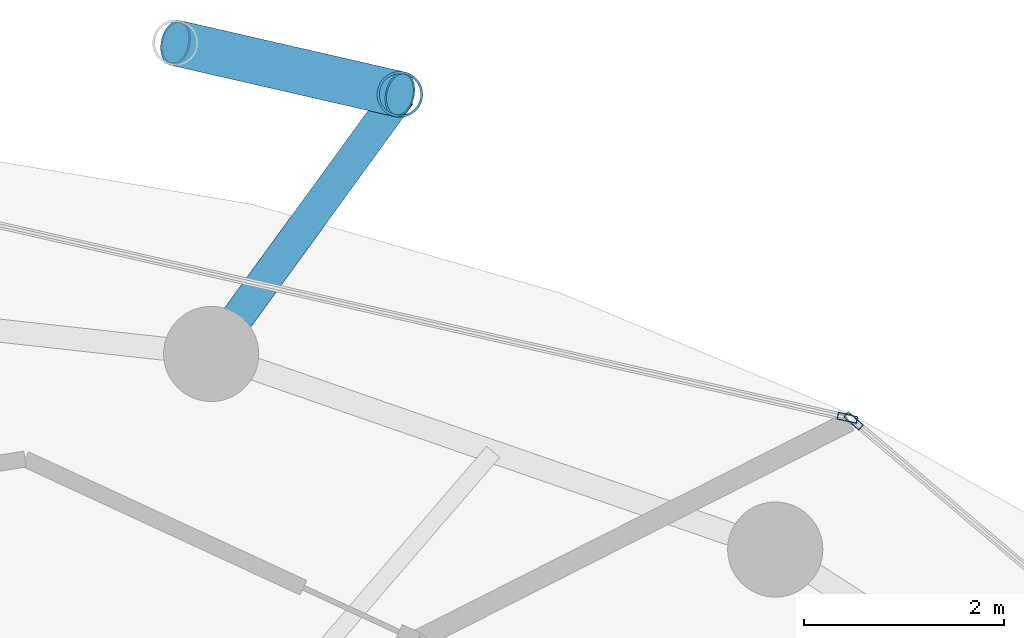
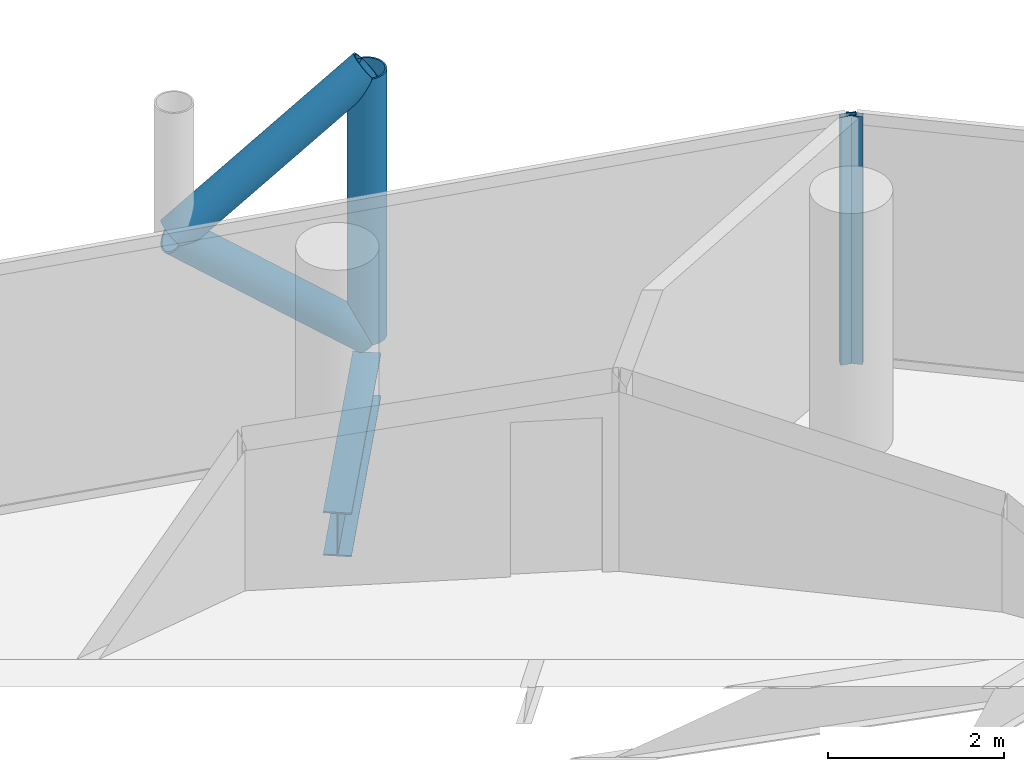
# One storey, part 20 of 26: 5 members, 1 beam, 2 elements without a shape of their own.
"""IFC4 building model written with IfcOpenShell, lengths in metres."""

from ifc_helpers import new_model, si_unit, direction, frame, origin, origin_2d, place, context, subcontext, project, spatial, hollow_rectangle, hollow_circle, i_section, extrude, material, layer, layer_set, material_profile, profile_set, type_object, element, aggregate, save


model = new_model("IFC4")

# Units and contexts
model_context = context("Model", 3, precision=1e-05, world=origin(), true_north=direction((0.0, 1.0)))
body_context = subcontext(model_context, "Body", "Model", "MODEL_VIEW")
ifc_project = project(units=[si_unit("LENGTHUNIT", "METRE"), si_unit("AREAUNIT", "SQUARE_METRE"), si_unit("VOLUMEUNIT", "CUBIC_METRE"), si_unit("PLANEANGLEUNIT", "RADIAN"), si_unit("MASSUNIT", "GRAM", prefix="KILO")], contexts=[model_context])

# Site, building, storey
site_placement = place(None, origin())
site = spatial("IfcSite", under=ifc_project, at=site_placement, CompositionType="ELEMENT")
building_placement = place(site_placement, origin())
building = spatial("IfcBuilding", under=site, at=building_placement, Name="Nuhasar Tower", CompositionType="ELEMENT")
storey_placement = place(building_placement, frame((0.0, 0.0, 188.550048828125)))
storey = spatial("IfcBuildingStorey", under=building, at=storey_placement, Name="L46", CompositionType="ELEMENT", Elevation=188.550048828125)

# Beam
ifc_material_1 = material(Name="Steel S355", Category="steel")
ifc_material_profile_1 = material_profile(ifc_material_1, i_section(OverallWidth=0.323974609375, OverallDepth=0.611083984375, WebThickness=0.0126953125, FlangeThickness=0.01904296875, at=origin_2d()), Name="W24X104")
ifc_profile_set_1 = profile_set([ifc_material_profile_1], Name="Steel S355")
beam_type = type_object("IfcBeamType", Name="BM-TIE-W24X104", PredefinedType="BEAM", material=ifc_profile_set_1)
beam_placement = place(storey_placement, frame((45.04296875, 45.68408203125, -0.554931640625), z_axis=(0.588185286445, 0.808726201387, 0.0), x_axis=(-0.808726201387, 0.588185286445, 0.0)))
element("IfcBeam", 1, at=beam_placement, inside=storey, type_object=beam_type, Name="L46 Exoskeleton Node Tie Beam 03", PredefinedType="BEAM", context=body_context, shape_type="SweptSolid", body=[
    extrude(i_section(OverallWidth=0.323974609375, OverallDepth=0.611083984375, WebThickness=0.0126953125, FlangeThickness=0.01904296875, at=origin_2d()), origin(), (0.0, 0.0, 1.0), 3.204833984375),
])

# Curtain wall, member
ifc_material_2 = material(Name="Aluminium 6063-T6", Category="aluminium")
ifc_layer = layer(ifc_material_2, 0.199951171875)
ifc_layer_set = layer_set([ifc_layer], Name="Aluminium 6063-T6")
curtain_wall_type = type_object("IfcCurtainWallType", Name="CW-Z2-HTL", PredefinedType="NOTDEFINED", material=ifc_layer_set)
curtain_wall_1_placement = place(storey_placement, origin())
curtain_wall_1 = element("IfcCurtainWall", 2, at=curtain_wall_1_placement, inside=storey, type_object=curtain_wall_type, Name="L46 Unitised Curtain Wall 02", PredefinedType="NOTDEFINED")
ifc_material_profile_2 = material_profile(ifc_material_2, hollow_rectangle(XDim=0.070068359375, YDim=0.199951171875, WallThickness=0.0048828125, at=origin_2d()), Name="CWM-3")
ifc_profile_set_2 = profile_set([ifc_material_profile_2], Name="Aluminium 6063-T6")
member_type_1 = type_object("IfcMemberType", Name="CW-MUL-S3", PredefinedType="MULLION", material=ifc_profile_set_2)
member_1_placement = place(storey_placement, frame((51.456787109375, 45.015380859375, 0.0), z_axis=(0.0, 0.0, 1.0), x_axis=(-0.646374438324, -0.763020370292, 0.0)))
member_1 = element("IfcMember", 3, at=member_1_placement, type_object=member_type_1, Name="CW-Z2 mullion 2", PredefinedType="MULLION", context=body_context, shape_type="SweptSolid", body=[
    extrude(hollow_rectangle(XDim=0.070068359375, YDim=0.199951171875, WallThickness=0.0048828125, at=origin_2d()), origin(), (0.0, 0.0, 1.0), 3.449951171875),
])
aggregate(curtain_wall_1, [member_1])

curtain_wall_2_placement = place(storey_placement, origin())
curtain_wall_2 = element("IfcCurtainWall", 4, at=curtain_wall_2_placement, inside=storey, type_object=curtain_wall_type, Name="L46 Unitised Curtain Wall 03", PredefinedType="NOTDEFINED")
member_2_placement = place(storey_placement, frame((51.395751953125, 45.045654296875, 0.0), z_axis=(0.0, 0.0, 1.0), x_axis=(-0.22139729566, -0.975183694221, 0.0)))
member_2 = element("IfcMember", 5, at=member_2_placement, type_object=member_type_1, Name="CW-Z2 mullion 1", PredefinedType="MULLION", context=body_context, shape_type="SweptSolid", body=[
    extrude(hollow_rectangle(XDim=0.070068359375, YDim=0.199951171875, WallThickness=0.0048828125, at=origin_2d()), origin(), (0.0, 0.0, 1.0), 3.449951171875),
])
aggregate(curtain_wall_2, [member_2])

# Members
ifc_material_3 = material(Name="Steel S460", Category="steel")
ifc_material_profile_3 = material_profile(ifc_material_3, hollow_circle(Radius=0.228515625, WallThickness=0.022216796875, at=origin_2d()), Name="HSS457X22.2")
ifc_profile_set_3 = profile_set([ifc_material_profile_3], Name="Steel S460")
member_type_2 = type_object("IfcMemberType", Name="EXO-BRONZE-457", PredefinedType="BRACE", material=ifc_profile_set_3)
member_3_placement = place(storey_placement, frame((46.927978515625, 48.27587890625, 0.0), z_axis=(0.0, 0.0, 1.0), x_axis=(1.0, 0.0, 0.0)))
element("IfcMember", 6, at=member_3_placement, inside=storey, type_object=member_type_2, Name="L46 Exoskeleton Chord Column EC-03A", PredefinedType="BRACE", context=body_context, shape_type="SweptSolid", body=[
    extrude(hollow_circle(Radius=0.228515625, WallThickness=0.022216796875, at=origin_2d()), origin(), (0.0, 0.0, 1.0), 3.699951171875),
])
member_4_placement = place(storey_placement, frame((46.927978515625, 48.27587890625, 0.0), z_axis=(-0.759538919781, 0.174190239035, 0.626704388019), x_axis=(-0.223533724104, -0.974696195842, 0.0)))
element("IfcMember", 7, at=member_4_placement, inside=storey, type_object=member_type_2, Name="L46 Bronze Diagrid Brace W1-03", PredefinedType="BRACE", context=body_context, shape_type="SweptSolid", body=[
    extrude(hollow_circle(Radius=0.228515625, WallThickness=0.022216796875, at=origin_2d()), origin(), (0.0, 0.0, 1.0), 2.95166015625),
])
member_5_placement = place(storey_placement, frame((44.68603515625, 48.7900390625, 1.849853515625), z_axis=(0.759499549084, -0.174181209885, 0.626754609927), x_axis=(0.223533724104, 0.974696195842, 0.0)))
element("IfcMember", 8, at=member_5_placement, inside=storey, type_object=member_type_2, Name="L46 Bronze Diagrid Brace W2-03", PredefinedType="BRACE", context=body_context, shape_type="SweptSolid", body=[
    extrude(hollow_circle(Radius=0.228515625, WallThickness=0.022216796875, at=origin_2d()), origin(), (0.0, 0.0, 1.0), 2.951904296875),
])

save(model, "model.ifc")
